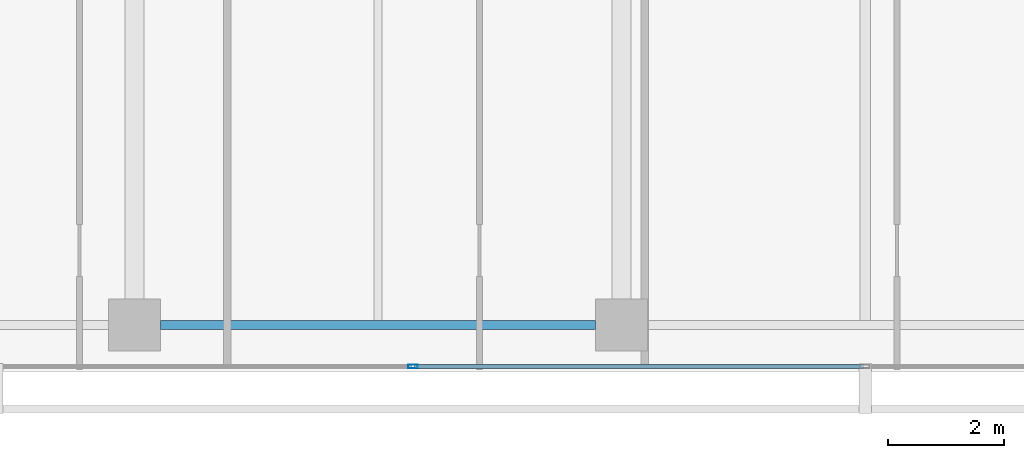
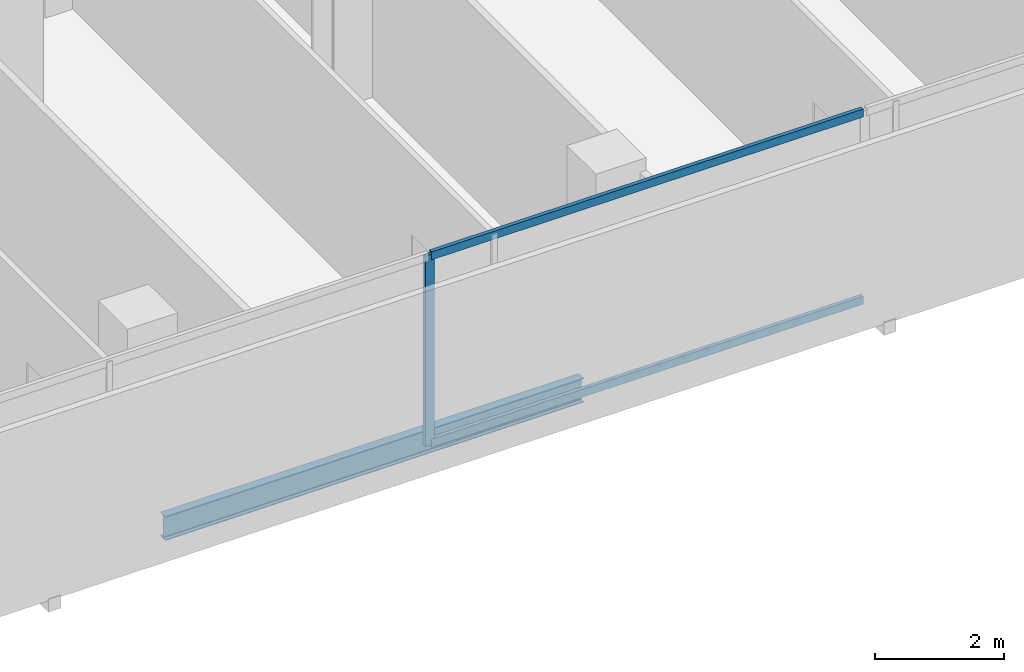
# One storey, part 7 of 40: 3 members, 1 beam, 1 element without a shape of its own.
"""IFC4 building model written with IfcOpenShell, lengths in metres."""

import ifcopenshell
import ifcopenshell.guid

model = None  # the IFC model being written
_history = None  # IfcOwnerHistory: only IFC2X3 demands one
_inside = {}  # id of a spatial element -> (the spatial element, [elements in it])
_under = {}  # id of a project, library or spatial element -> (it, [spatial elements below it])
_declared = {}  # id of a project -> (the project, [libraries it declares])
_typed = {}  # id of a type object -> (the type object, [elements of that type])
_made_of = {}  # id of a material, layer set ... -> (it, [elements and type objects made of it])


def new_model(schema):
    """Start an empty IFC model of exactly this schema.

    Asked for "IFC4X3", IfcOpenShell would pick the latest addendum, in which some entities
    have other attributes; the version numbers below select the first issue.
    IFC2X3 requires an IfcOwnerHistory on every rooted entity: one is made here for all.
    """
    global model, _history
    if schema == "IFC4X3":
        model = ifcopenshell.file(schema_version=(4, 3, 0, 0))
    else:
        model = ifcopenshell.file(schema=schema)
    _inside.clear()
    _under.clear()
    _declared.clear()
    _typed.clear()
    _made_of.clear()
    _history = None
    if model.schema == "IFC2X3":
        org = make("IfcOrganization", Name="unknown")
        user = make(
            "IfcPersonAndOrganization",
            ThePerson=make("IfcPerson", FamilyName="unknown"),
            TheOrganization=org,
        )
        app = make(
            "IfcApplication",
            ApplicationDeveloper=org,
            Version="unknown",
            ApplicationFullName="unknown",
            ApplicationIdentifier="unknown",
        )
        _history = make(
            "IfcOwnerHistory",
            OwningUser=user,
            OwningApplication=app,
            ChangeAction="ADDED",
            CreationDate=0,
        )
    return model


def make(cls, **values):
    """One entity of the class cls with the attributes given. An attribute that is None is left unset."""
    return model.create_entity(
        cls, **{name: value for name, value in values.items() if value is not None}
    )


def rooted(cls, **values):
    """An entity with a GlobalId (a new one), such as an element, a storey or a relation."""
    return make(cls, GlobalId=ifcopenshell.guid.new(), OwnerHistory=_history, **values)


def si_unit(unit_type, name, prefix=None):
    """IfcSIUnit, for example si_unit("LENGTHUNIT", "METRE", prefix="MILLI")."""
    return make("IfcSIUnit", UnitType=unit_type, Prefix=prefix, Name=name)


def assignment(units):
    """IfcUnitAssignment: the units of a project."""
    return None if units is None else make("IfcUnitAssignment", Units=units)


def point(xyz):
    """IfcCartesianPoint."""
    return None if xyz is None else make("IfcCartesianPoint", Coordinates=xyz)


def direction(xyz):
    """IfcDirection."""
    return None if xyz is None else make("IfcDirection", DirectionRatios=xyz)


def frame(location, z_axis=None, x_axis=None):
    """IfcAxis2Placement3D, a coordinate frame: its origin and axes. An axis left out is left unset."""
    return make(
        "IfcAxis2Placement3D",
        Location=point(location),
        Axis=direction(z_axis),
        RefDirection=direction(x_axis),
    )


def frame_2d(location, x_axis=None):
    """IfcAxis2Placement2D, a coordinate frame in the plane: its origin and x axis."""
    return make(
        "IfcAxis2Placement2D", Location=point(location), RefDirection=direction(x_axis)
    )


def origin():
    """The frame at (0, 0, 0) with its axes left unset."""
    return frame((0.0, 0.0, 0.0))


def origin_2d():
    """The frame at (0, 0) in the plane with its x axis left unset."""
    return frame_2d((0.0, 0.0))


def place(relative_to, where):
    """IfcLocalPlacement: puts the frame where relative to a parent placement (None: the world)."""
    return make(
        "IfcLocalPlacement", PlacementRelTo=relative_to, RelativePlacement=where
    )


def context(
    kind, dimensions, precision=None, world=None, true_north=None, identifier=None
):
    """IfcGeometricRepresentationContext, for example the 3D "Model" context."""
    return make(
        "IfcGeometricRepresentationContext",
        ContextIdentifier=identifier,
        ContextType=kind,
        CoordinateSpaceDimension=dimensions,
        Precision=precision,
        WorldCoordinateSystem=world,
        TrueNorth=true_north,
    )


def subcontext(parent, identifier, kind, view, scale=None):
    """IfcGeometricRepresentationSubContext, for example "Body" below "Model"."""
    return make(
        "IfcGeometricRepresentationSubContext",
        ContextIdentifier=identifier,
        ContextType=kind,
        ParentContext=parent,
        TargetScale=scale,
        TargetView=view,
    )


def project(units=None, contexts=None):
    """IfcProject with its units and contexts."""
    return rooted(
        "IfcProject",
        Name="project",
        RepresentationContexts=contexts,
        UnitsInContext=assignment(units),
    )


def spatial(cls, under=None, at=None, **own):
    """A site, building, storey or space (cls), placed at a placement, below another one or the project."""
    s = rooted(cls, ObjectPlacement=at, **own)
    if under is not None:
        _under.setdefault(under.id(), (under, []))[1].append(s)
    return s


def profile(cls, at=None, kind="AREA", **sizes):
    """A parametric profile (cls). Its sizes go by their IFC names, for example OverallWidth=200.0."""
    return make(cls, ProfileType=kind, Position=at, **sizes)


def hollow_rectangle(**sizes):
    """IfcRectangleHollowProfileDef."""
    return profile("IfcRectangleHollowProfileDef", **sizes)


def i_section(**sizes):
    """IfcIShapeProfileDef."""
    return profile("IfcIShapeProfileDef", **sizes)


def extrude(swept, where, along, depth):
    """IfcExtrudedAreaSolid: the profile swept, set in the frame where, extruded along a direction by depth."""
    return make(
        "IfcExtrudedAreaSolid",
        SweptArea=swept,
        Position=where,
        ExtrudedDirection=direction(along),
        Depth=depth,
    )


def shape(context_of_items, identifier, shape_type, items):
    """IfcShapeRepresentation: the items that make up one representation, for example the "Body"."""
    return make(
        "IfcShapeRepresentation",
        ContextOfItems=context_of_items,
        RepresentationIdentifier=identifier,
        RepresentationType=shape_type,
        Items=items,
    )


def material(Name=None, Category=None):
    """IfcMaterial."""
    return make("IfcMaterial", Name=Name, Category=Category)


def layer(
    of_material, thickness, ventilated=None, Name=None, Category=None, Priority=None
):
    """IfcMaterialLayer: one layer of a wall or slab, of a material (None: an air gap)."""
    return make(
        "IfcMaterialLayer",
        Material=of_material,
        LayerThickness=thickness,
        IsVentilated=ventilated,
        Name=Name,
        Category=Category,
        Priority=Priority,
    )


def layer_set(layers, Name=None):
    """IfcMaterialLayerSet."""
    return make("IfcMaterialLayerSet", MaterialLayers=layers, LayerSetName=Name)


def material_profile(
    of_material, cross_section, Name=None, Category=None, Priority=None
):
    """IfcMaterialProfile: a cross section and its material."""
    return make(
        "IfcMaterialProfile",
        Name=Name,
        Material=of_material,
        Profile=cross_section,
        Priority=Priority,
        Category=Category,
    )


def profile_set(profiles, Name=None, composite=None):
    """IfcMaterialProfileSet."""
    return make(
        "IfcMaterialProfileSet",
        Name=Name,
        MaterialProfiles=profiles,
        CompositeProfile=composite,
    )


def made_of(thing, what):
    """Note that an element or type object is made of a material, layer set ...; save() writes the relation."""
    if what is not None:
        _made_of.setdefault(what.id(), (what, []))[1].append(thing)
    return thing


def type_object(cls, material=None, **own):
    """A type object (cls), such as IfcWallType, which elements share."""
    return made_of(rooted(cls, **own), material)


def element(
    cls,
    number,
    at=None,
    inside=None,
    cuts=None,
    type_object=None,
    material=None,
    context=None,
    identifier="Body",
    shape_type=None,
    held_by="IfcProductDefinitionShape",
    body=None,
    shapes=None,
    **own,
):
    """One element of the class cls, such as IfcWall. Its Tag is "e" and its number.

    at: its placement. inside: the storey or other place that contains it. cuts: it is an
    opening in that element (IfcRelVoidsElement). A single representation is given by context,
    identifier, shape_type and body (its items); several are given by shapes. held_by: the class
    of the entity that holds the representations. save() writes the other relations.
    """
    e = rooted(cls, Tag="e%d" % number, ObjectPlacement=at, **own)
    if body is not None:
        shapes = [shape(context, identifier, shape_type, body)]
    if shapes is not None:
        e.Representation = make(held_by, Representations=shapes)
    if inside is not None:
        _inside.setdefault(inside.id(), (inside, []))[1].append(e)
    if cuts is not None:
        rooted(
            "IfcRelVoidsElement", RelatingBuildingElement=cuts, RelatedOpeningElement=e
        )
    if type_object is not None:
        _typed.setdefault(type_object.id(), (type_object, []))[1].append(e)
    return made_of(e, material)


def aggregate(whole, parts):
    """IfcRelAggregates: a whole, such as a stair, and the parts it consists of."""
    return rooted("IfcRelAggregates", RelatingObject=whole, RelatedObjects=parts)


def save(model, path):
    """Write the relations noted so far, then the file.

    IfcRelAggregates (storeys below a building ...), IfcRelContainedInSpatialStructure (elements
    in a storey), IfcRelDefinesByType, IfcRelAssociatesMaterial and IfcRelDeclares: one each for
    every whole, place, type object, material and project.
    """
    for whole, parts in _under.values():
        aggregate(whole, parts)
    for where, things in _inside.values():
        rooted(
            "IfcRelContainedInSpatialStructure",
            RelatedElements=things,
            RelatingStructure=where,
        )
    for kind, things in _typed.values():
        rooted("IfcRelDefinesByType", RelatedObjects=things, RelatingType=kind)
    for what, things in _made_of.values():
        rooted("IfcRelAssociatesMaterial", RelatedObjects=things, RelatingMaterial=what)
    for by, libraries in _declared.values():
        rooted("IfcRelDeclares", RelatingContext=by, RelatedDefinitions=libraries)
    model.write(path)


model = new_model("IFC4")

# Units and contexts
model_context = context("Model", 3, precision=1e-05, world=origin(), true_north=direction((0.0, 1.0)))
body_context = subcontext(model_context, "Body", "Model", "MODEL_VIEW")
ifc_project = project(units=[si_unit("LENGTHUNIT", "METRE"), si_unit("AREAUNIT", "SQUARE_METRE"), si_unit("VOLUMEUNIT", "CUBIC_METRE"), si_unit("PLANEANGLEUNIT", "RADIAN"), si_unit("MASSUNIT", "GRAM", prefix="KILO")], contexts=[model_context])

# Site, building, storey
site_placement = place(None, origin())
site = spatial("IfcSite", under=ifc_project, at=site_placement, CompositionType="ELEMENT")
building_placement = place(site_placement, origin())
building = spatial("IfcBuilding", under=site, at=building_placement, Name="Maruvema Waterfront Hotel and Observation Tower", CompositionType="ELEMENT")
storey_placement = place(building_placement, frame((0.0, 0.0, 77.0)))
storey = spatial("IfcBuildingStorey", under=building, at=storey_placement, Name="L18", CompositionType="ELEMENT", Elevation=77.0)

# Curtain wall, members
ifc_material_1 = material(Name="Anodised bronze aluminium and solar-control low-E IGU", Category="aluminium")
ifc_layer = layer(ifc_material_1, 0.159912109375, Name="Zone 1 Bronze Inner Thermal Curtain Wall System CW-02")
ifc_layer_set = layer_set([ifc_layer], Name="Anodised bronze aluminium and solar-control low-E IGU")
curtain_wall_type = type_object("IfcCurtainWallType", Name="Zone 1 Bronze Inner Thermal Curtain Wall System CW-02", PredefinedType="USERDEFINED", material=ifc_layer_set)
curtain_wall_placement = place(storey_placement, origin())
curtain_wall = element("IfcCurtainWall", 1, at=curtain_wall_placement, inside=storey, type_object=curtain_wall_type, Name="L18 Curtain Wall CW-L18-S", ObjectType="UNITISED CURTAIN WALL", PredefinedType="USERDEFINED")
ifc_material_2 = material(Name="Anodised architectural bronze aluminium", Category="aluminium")
ifc_material_profile_1 = material_profile(ifc_material_2, hollow_rectangle(XDim=0.070068359375, YDim=0.14990234375, WallThickness=0.00390625, at=origin_2d()), Name="ALU-T70x150")
ifc_profile_set_1 = profile_set([ifc_material_profile_1], Name="Anodised architectural bronze aluminium")
member_type_1 = type_object("IfcMemberType", Name="Curtain Wall Horizontal Transom ALU-T70x150", PredefinedType="USERDEFINED", material=ifc_profile_set_1)
member_1_placement = place(storey_placement, frame((30.030029296875, 0.080078125, 0.030029296875), z_axis=(1.0, 0.0, 0.0), x_axis=(0.0, 1.0, 0.0)))
member_1 = element("IfcMember", 2, at=member_1_placement, type_object=member_type_1, Name="CW-02 transom 3.1", ObjectType="TRANSOM", PredefinedType="USERDEFINED", context=body_context, shape_type="SweptSolid", body=[
    extrude(hollow_rectangle(XDim=0.070068359375, YDim=0.14990234375, WallThickness=0.00390625, at=origin_2d()), origin(), (0.0, 0.0, 1.0), 7.739990234375),
])
member_2_placement = place(storey_placement, frame((30.030029296875, 0.080078125, 3.580078125), z_axis=(1.0, 0.0, 0.0), x_axis=(0.0, 1.0, 0.0)))
member_2 = element("IfcMember", 3, at=member_2_placement, type_object=member_type_1, Name="CW-02 transom 3.2", ObjectType="TRANSOM", PredefinedType="USERDEFINED", context=body_context, shape_type="SweptSolid", body=[
    extrude(hollow_rectangle(XDim=0.070068359375, YDim=0.14990234375, WallThickness=0.00390625, at=origin_2d()), origin(), (0.0, 0.0, 1.0), 7.739990234375),
])
ifc_material_3 = material(Name="Anodised architectural bronze aluminium", Category="aluminium")
ifc_material_profile_2 = material_profile(ifc_material_3, hollow_rectangle(XDim=0.06494140625, YDim=0.1650390625, WallThickness=0.00390625, at=origin_2d()), Name="ALU-M65x165")
ifc_profile_set_2 = profile_set([ifc_material_profile_2], Name="Anodised architectural bronze aluminium")
member_type_2 = type_object("IfcMemberType", Name="Curtain Wall Primary Mullion ALU-M65x165", PredefinedType="MULLION", material=ifc_profile_set_2)
member_3_placement = place(storey_placement, frame((30.0, 0.080078125, 0.0), z_axis=(0.0, 0.0, 1.0), x_axis=(0.0, 1.0, 0.0)))
member_3 = element("IfcMember", 4, at=member_3_placement, type_object=member_type_2, Name="CW-02 mullion 3", PredefinedType="MULLION", context=body_context, shape_type="SweptSolid", body=[
    extrude(hollow_rectangle(XDim=0.06494140625, YDim=0.1650390625, WallThickness=0.00390625, at=origin_2d()), origin(), (0.0, 0.0, 1.0), 3.610107421875),
])
aggregate(curtain_wall, [member_3, member_1, member_2])

# Beam
ifc_material_4 = material(Name="Steel ASTM A572 Grade 50", Category="steel")
ifc_material_profile_3 = material_profile(ifc_material_4, i_section(OverallWidth=0.153076171875, OverallDepth=0.455078125, WebThickness=0.008056640625, FlangeThickness=0.01318359375, FilletRadius=0.014892578125, at=origin_2d()), Name="W460x60.0")
ifc_profile_set_3 = profile_set([ifc_material_profile_3], Name="Steel ASTM A572 Grade 50")
beam_type = type_object("IfcBeamType", Name="Perimeter Spandrel Beam W460x60.0", PredefinedType="SPANDREL", material=ifc_profile_set_3)
beam_placement = place(storey_placement, frame((25.64990234375, 0.800048828125, -0.467529296875), z_axis=(1.0, 0.0, 0.0), x_axis=(0.0, 1.0, 0.0)))
element("IfcBeam", 5, at=beam_placement, inside=storey, type_object=beam_type, Name="L18 Floor Girder EW-02", PredefinedType="SPANDREL", context=body_context, shape_type="SweptSolid", body=[
    extrude(i_section(OverallWidth=0.153076171875, OverallDepth=0.455078125, WebThickness=0.008056640625, FlangeThickness=0.01318359375, FilletRadius=0.014892578125, at=origin_2d()), origin(), (0.0, 0.0, 1.0), 7.5),
])

save(model, "model.ifc")
